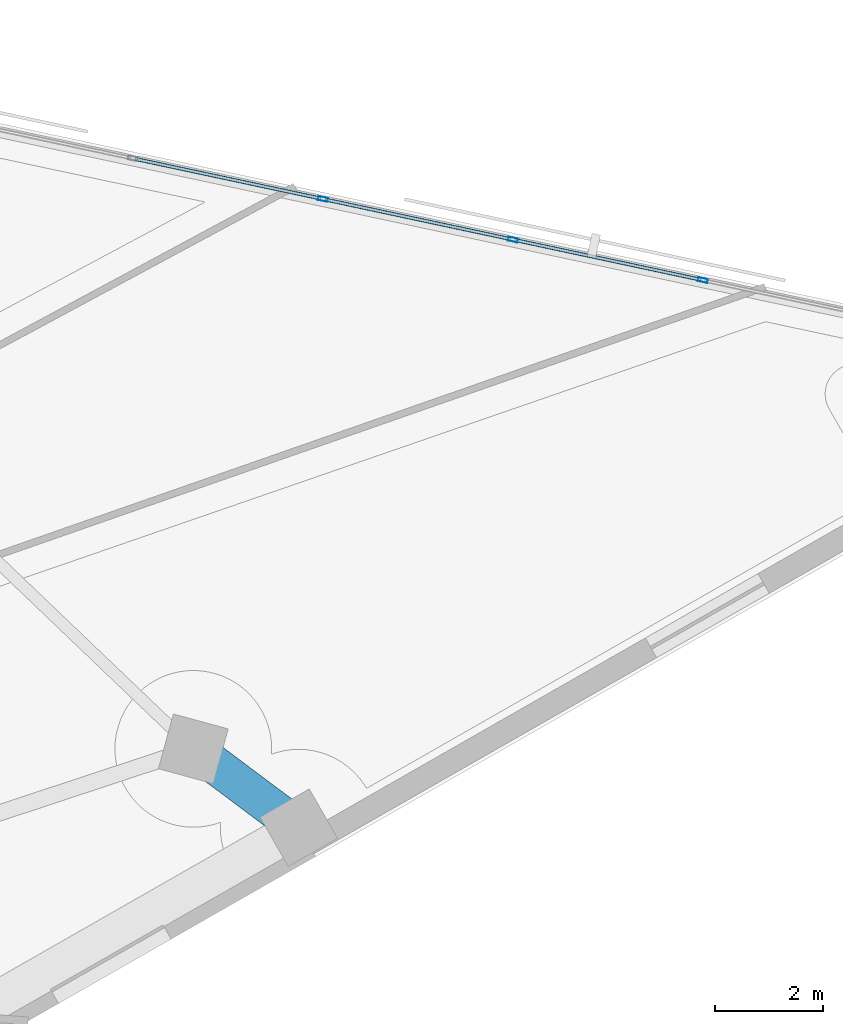
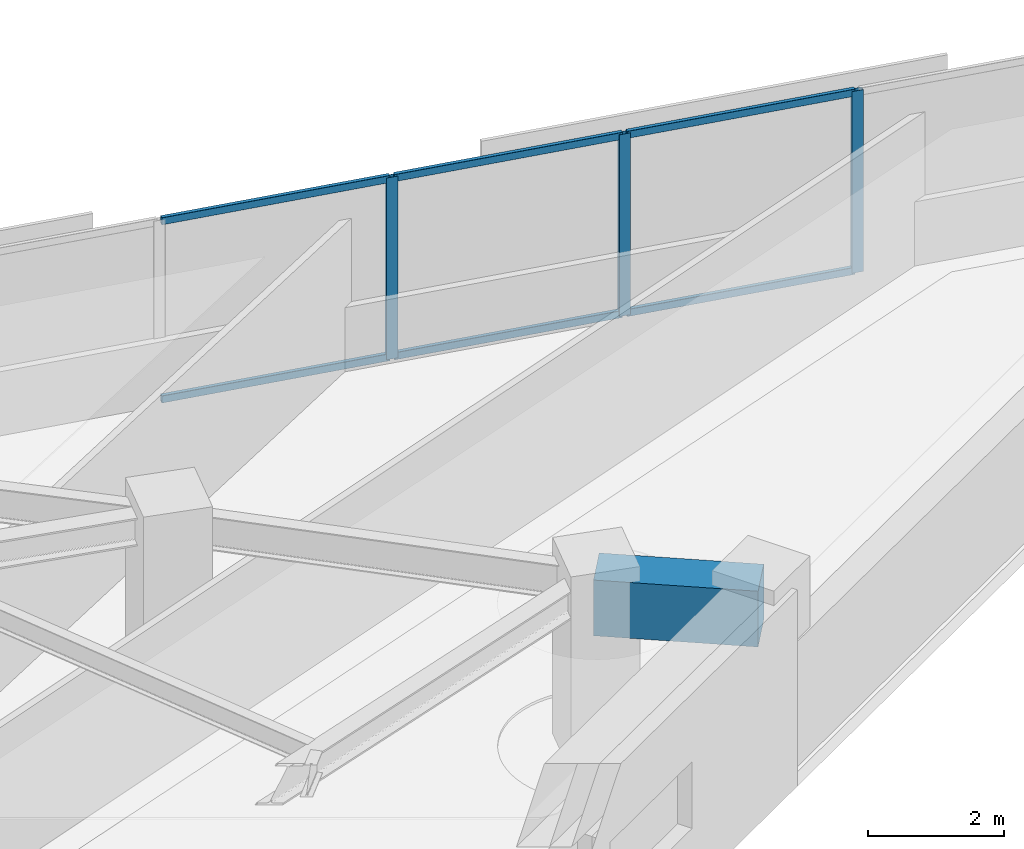
# One storey, part 5 of 14: 9 members, 1 beam, 1 element without a shape of its own.
"""IFC4 building model written with IfcOpenShell, lengths in metres."""

from ifc_helpers import new_model, si_unit, direction, frame, origin, origin_2d, place, context, subcontext, project, spatial, rectangle, hollow_rectangle, extrude, material, material_profile, profile_set, type_object, element, aggregate, save


model = new_model("IFC4")

# Units and contexts
model_context = context("Model", 3, precision=1e-05, world=origin(), true_north=direction((0.0, 1.0)))
body_context = subcontext(model_context, "Body", "Model", "MODEL_VIEW")
ifc_project = project(units=[si_unit("LENGTHUNIT", "METRE"), si_unit("AREAUNIT", "SQUARE_METRE"), si_unit("VOLUMEUNIT", "CUBIC_METRE"), si_unit("PLANEANGLEUNIT", "RADIAN"), si_unit("MASSUNIT", "GRAM", prefix="KILO")], contexts=[model_context])

# Site, building, storey
site_placement = place(None, origin())
site = spatial("IfcSite", under=ifc_project, at=site_placement, CompositionType="ELEMENT")
building_placement = place(site_placement, origin())
building = spatial("IfcBuilding", under=site, at=building_placement, Name="Narakoshi Arena Tower", CompositionType="ELEMENT")
storey_placement = place(building_placement, frame((0.0, 0.0, 218.5)))
storey = spatial("IfcBuildingStorey", under=building, at=storey_placement, Name="L59", CompositionType="ELEMENT", Elevation=218.5)

# Beam
ifc_material_1 = material(Name="Concrete C60/75", Category="concrete")
ifc_material_profile_1 = material_profile(ifc_material_1, rectangle(XDim=0.699951171875, YDim=1.0, at=origin_2d()), Name="RCB700x1000")
ifc_profile_set_1 = profile_set([ifc_material_profile_1], Name="Concrete C60/75")
beam_type = type_object("IfcBeamType", Name="BM-CPL-1000", PredefinedType="BEAM", material=ifc_profile_set_1)
beam_placement = place(storey_placement, frame((104.619873046875, 47.550048828125, 2.760009765625), z_axis=(-0.800768849668, 0.59897349641, 0.0), x_axis=(-0.59897349641, -0.800768849668, 0.0)))
element("IfcBeam", 1, at=beam_placement, inside=storey, type_object=beam_type, Name="L59 Perimeter Edge Girder 03", PredefinedType="BEAM", context=body_context, shape_type="SweptSolid", body=[
    extrude(rectangle(XDim=0.699951171875, YDim=1.0, at=origin_2d()), origin(), (0.0, 0.0, 1.0), 2.4365234375),
])

# Curtain wall, members
ifc_material_2 = material(Name="Anodised bronze aluminium 6063-T6", Category="aluminium")
curtain_wall_type = type_object("IfcCurtainWallType", Name="CW-HYP-MID", PredefinedType="NOTDEFINED", material=ifc_material_2)
curtain_wall_placement = place(storey_placement, origin())
curtain_wall = element("IfcCurtainWall", 2, at=curtain_wall_placement, inside=storey, type_object=curtain_wall_type, Name="L59 Folded Hypotenuse Curtain Wall 1-1", PredefinedType="NOTDEFINED")
ifc_material_profile_2 = material_profile(ifc_material_2, hollow_rectangle(XDim=0.074951171875, YDim=0.179931640625, WallThickness=0.00390625, OuterFilletRadius=0.0048828125, at=origin_2d()), Name="MUL180x75x4")
ifc_profile_set_2 = profile_set([ifc_material_profile_2], Name="Anodised bronze aluminium 6063-T6")
member_type_1 = type_object("IfcMemberType", Name="MEM-MUL-180", PredefinedType="MULLION", material=ifc_profile_set_2)
member_1_placement = place(storey_placement, frame((112.096435546875, 57.680908203125, 0.0), z_axis=(0.0, 0.0, 1.0), x_axis=(-0.208899163248, -0.977937185914, 0.0)))
member_1 = element("IfcMember", 3, at=member_1_placement, type_object=member_type_1, Name="CW-02 mullion 2", PredefinedType="MULLION", context=body_context, shape_type="SweptSolid", body=[
    extrude(hollow_rectangle(XDim=0.074951171875, YDim=0.179931640625, WallThickness=0.00390625, OuterFilletRadius=0.0048828125, at=origin_2d()), origin(), (0.0, 0.0, 1.0), 3.260009765625),
])
member_2_placement = place(storey_placement, frame((108.582275390625, 58.431640625, 0.0), z_axis=(0.0, 0.0, 1.0), x_axis=(-0.208899163248, -0.977937185914, 0.0)))
member_2 = element("IfcMember", 4, at=member_2_placement, type_object=member_type_1, Name="CW-02 mullion 3", PredefinedType="MULLION", context=body_context, shape_type="SweptSolid", body=[
    extrude(hollow_rectangle(XDim=0.074951171875, YDim=0.179931640625, WallThickness=0.00390625, OuterFilletRadius=0.0048828125, at=origin_2d()), origin(), (0.0, 0.0, 1.0), 3.260009765625),
])
member_3_placement = place(storey_placement, frame((105.068115234375, 59.182373046875, 0.0), z_axis=(0.0, 0.0, 1.0), x_axis=(-0.208899163248, -0.977937185914, 0.0)))
member_3 = element("IfcMember", 5, at=member_3_placement, type_object=member_type_1, Name="CW-02 mullion 4", PredefinedType="MULLION", context=body_context, shape_type="SweptSolid", body=[
    extrude(hollow_rectangle(XDim=0.074951171875, YDim=0.179931640625, WallThickness=0.00390625, OuterFilletRadius=0.0048828125, at=origin_2d()), origin(), (0.0, 0.0, 1.0), 3.260009765625),
])
ifc_material_profile_3 = material_profile(ifc_material_2, hollow_rectangle(XDim=0.06494140625, YDim=0.1298828125, WallThickness=0.00390625, OuterFilletRadius=0.0048828125, at=origin_2d()), Name="TRN130x65x4")
ifc_profile_set_3 = profile_set([ifc_material_profile_3], Name="Anodised bronze aluminium 6063-T6")
member_type_2 = type_object("IfcMemberType", Name="MEM-TRN-130", PredefinedType="USERDEFINED", material=ifc_profile_set_3)
member_4_placement = place(storey_placement, frame((112.059814453125, 57.688720703125, 0.032470703125), z_axis=(-0.977932198567, 0.20892250957, 0.0), x_axis=(-0.20892250957, -0.977932198567, 0.0)))
member_4 = element("IfcMember", 6, at=member_4_placement, type_object=member_type_2, Name="CW-02 transom 2.1", ObjectType="TRANSOM", PredefinedType="USERDEFINED", context=body_context, shape_type="SweptSolid", body=[
    extrude(hollow_rectangle(XDim=0.06494140625, YDim=0.1298828125, WallThickness=0.00390625, OuterFilletRadius=0.0048828125, at=origin_2d()), origin(), (0.0, 0.0, 1.0), 3.5185546875),
])
member_5_placement = place(storey_placement, frame((112.059814453125, 57.688720703125, 3.2275390625), z_axis=(-0.977932198567, 0.20892250957, 0.0), x_axis=(-0.20892250957, -0.977932198567, 0.0)))
member_5 = element("IfcMember", 7, at=member_5_placement, type_object=member_type_2, Name="CW-02 transom 2.2", ObjectType="TRANSOM", PredefinedType="USERDEFINED", context=body_context, shape_type="SweptSolid", body=[
    extrude(hollow_rectangle(XDim=0.06494140625, YDim=0.1298828125, WallThickness=0.00390625, OuterFilletRadius=0.0048828125, at=origin_2d()), origin(), (0.0, 0.0, 1.0), 3.5185546875),
])
member_6_placement = place(storey_placement, frame((108.545654296875, 58.439453125, 0.032470703125), z_axis=(-0.977946373003, 0.208856150329, 0.0), x_axis=(-0.208856150329, -0.977946373003, 0.0)))
member_6 = element("IfcMember", 8, at=member_6_placement, type_object=member_type_2, Name="CW-02 transom 3.1", ObjectType="TRANSOM", PredefinedType="USERDEFINED", context=body_context, shape_type="SweptSolid", body=[
    extrude(hollow_rectangle(XDim=0.06494140625, YDim=0.1298828125, WallThickness=0.00390625, OuterFilletRadius=0.0048828125, at=origin_2d()), origin(), (0.0, 0.0, 1.0), 3.5185546875),
])
member_7_placement = place(storey_placement, frame((108.545654296875, 58.439453125, 3.2275390625), z_axis=(-0.977946373003, 0.208856150329, 0.0), x_axis=(-0.208856150329, -0.977946373003, 0.0)))
member_7 = element("IfcMember", 9, at=member_7_placement, type_object=member_type_2, Name="CW-02 transom 3.2", ObjectType="TRANSOM", PredefinedType="USERDEFINED", context=body_context, shape_type="SweptSolid", body=[
    extrude(hollow_rectangle(XDim=0.06494140625, YDim=0.1298828125, WallThickness=0.00390625, OuterFilletRadius=0.0048828125, at=origin_2d()), origin(), (0.0, 0.0, 1.0), 3.5185546875),
])
member_8_placement = place(storey_placement, frame((105.031494140625, 59.190185546875, 0.032470703125), z_axis=(-0.977943345954, 0.208870323659, 0.0), x_axis=(-0.208870323659, -0.977943345954, 0.0)))
member_8 = element("IfcMember", 10, at=member_8_placement, type_object=member_type_2, Name="CW-02 transom 4.1", ObjectType="TRANSOM", PredefinedType="USERDEFINED", context=body_context, shape_type="SweptSolid", body=[
    extrude(hollow_rectangle(XDim=0.06494140625, YDim=0.1298828125, WallThickness=0.00390625, OuterFilletRadius=0.0048828125, at=origin_2d()), origin(), (0.0, 0.0, 1.0), 3.518310546875),
])
member_9_placement = place(storey_placement, frame((105.031494140625, 59.190185546875, 3.2275390625), z_axis=(-0.977943345954, 0.208870323659, 0.0), x_axis=(-0.208870323659, -0.977943345954, 0.0)))
member_9 = element("IfcMember", 11, at=member_9_placement, type_object=member_type_2, Name="CW-02 transom 4.2", ObjectType="TRANSOM", PredefinedType="USERDEFINED", context=body_context, shape_type="SweptSolid", body=[
    extrude(hollow_rectangle(XDim=0.06494140625, YDim=0.1298828125, WallThickness=0.00390625, OuterFilletRadius=0.0048828125, at=origin_2d()), origin(), (0.0, 0.0, 1.0), 3.518310546875),
])
aggregate(curtain_wall, [member_1, member_2, member_3, member_4, member_5, member_6, member_7, member_8, member_9])

save(model, "model.ifc")
